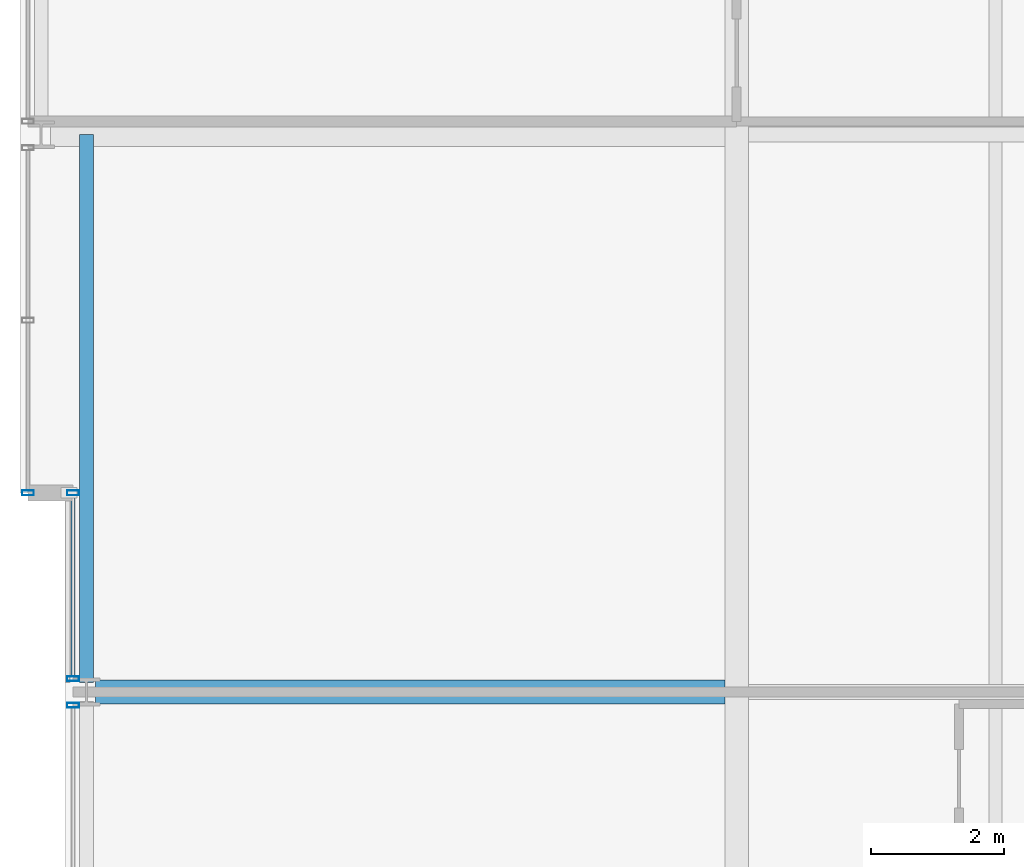
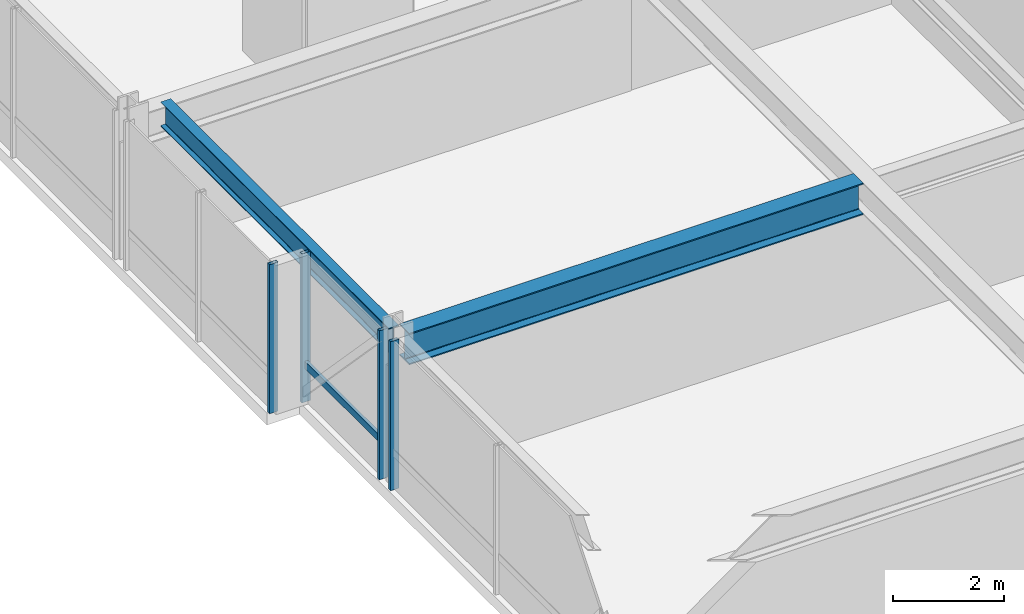
# One storey, part 9 of 33: 5 members, 2 beams, 3 elements without a shape of their own.
"""IFC4 building model written with IfcOpenShell, lengths in metres."""

import ifcopenshell
import ifcopenshell.guid

model = None  # the IFC model being written
_history = None  # IfcOwnerHistory: only IFC2X3 demands one
_inside = {}  # id of a spatial element -> (the spatial element, [elements in it])
_under = {}  # id of a project, library or spatial element -> (it, [spatial elements below it])
_declared = {}  # id of a project -> (the project, [libraries it declares])
_typed = {}  # id of a type object -> (the type object, [elements of that type])
_made_of = {}  # id of a material, layer set ... -> (it, [elements and type objects made of it])


def new_model(schema):
    """Start an empty IFC model of exactly this schema.

    Asked for "IFC4X3", IfcOpenShell would pick the latest addendum, in which some entities
    have other attributes; the version numbers below select the first issue.
    IFC2X3 requires an IfcOwnerHistory on every rooted entity: one is made here for all.
    """
    global model, _history
    if schema == "IFC4X3":
        model = ifcopenshell.file(schema_version=(4, 3, 0, 0))
    else:
        model = ifcopenshell.file(schema=schema)
    _inside.clear()
    _under.clear()
    _declared.clear()
    _typed.clear()
    _made_of.clear()
    _history = None
    if model.schema == "IFC2X3":
        org = make("IfcOrganization", Name="unknown")
        user = make(
            "IfcPersonAndOrganization",
            ThePerson=make("IfcPerson", FamilyName="unknown"),
            TheOrganization=org,
        )
        app = make(
            "IfcApplication",
            ApplicationDeveloper=org,
            Version="unknown",
            ApplicationFullName="unknown",
            ApplicationIdentifier="unknown",
        )
        _history = make(
            "IfcOwnerHistory",
            OwningUser=user,
            OwningApplication=app,
            ChangeAction="ADDED",
            CreationDate=0,
        )
    return model


def make(cls, **values):
    """One entity of the class cls with the attributes given. An attribute that is None is left unset."""
    return model.create_entity(
        cls, **{name: value for name, value in values.items() if value is not None}
    )


def rooted(cls, **values):
    """An entity with a GlobalId (a new one), such as an element, a storey or a relation."""
    return make(cls, GlobalId=ifcopenshell.guid.new(), OwnerHistory=_history, **values)


def si_unit(unit_type, name, prefix=None):
    """IfcSIUnit, for example si_unit("LENGTHUNIT", "METRE", prefix="MILLI")."""
    return make("IfcSIUnit", UnitType=unit_type, Prefix=prefix, Name=name)


def assignment(units):
    """IfcUnitAssignment: the units of a project."""
    return None if units is None else make("IfcUnitAssignment", Units=units)


def point(xyz):
    """IfcCartesianPoint."""
    return None if xyz is None else make("IfcCartesianPoint", Coordinates=xyz)


def direction(xyz):
    """IfcDirection."""
    return None if xyz is None else make("IfcDirection", DirectionRatios=xyz)


def frame(location, z_axis=None, x_axis=None):
    """IfcAxis2Placement3D, a coordinate frame: its origin and axes. An axis left out is left unset."""
    return make(
        "IfcAxis2Placement3D",
        Location=point(location),
        Axis=direction(z_axis),
        RefDirection=direction(x_axis),
    )


def frame_2d(location, x_axis=None):
    """IfcAxis2Placement2D, a coordinate frame in the plane: its origin and x axis."""
    return make(
        "IfcAxis2Placement2D", Location=point(location), RefDirection=direction(x_axis)
    )


def origin():
    """The frame at (0, 0, 0) with its axes left unset."""
    return frame((0.0, 0.0, 0.0))


def origin_2d():
    """The frame at (0, 0) in the plane with its x axis left unset."""
    return frame_2d((0.0, 0.0))


def place(relative_to, where):
    """IfcLocalPlacement: puts the frame where relative to a parent placement (None: the world)."""
    return make(
        "IfcLocalPlacement", PlacementRelTo=relative_to, RelativePlacement=where
    )


def context(
    kind, dimensions, precision=None, world=None, true_north=None, identifier=None
):
    """IfcGeometricRepresentationContext, for example the 3D "Model" context."""
    return make(
        "IfcGeometricRepresentationContext",
        ContextIdentifier=identifier,
        ContextType=kind,
        CoordinateSpaceDimension=dimensions,
        Precision=precision,
        WorldCoordinateSystem=world,
        TrueNorth=true_north,
    )


def subcontext(parent, identifier, kind, view, scale=None):
    """IfcGeometricRepresentationSubContext, for example "Body" below "Model"."""
    return make(
        "IfcGeometricRepresentationSubContext",
        ContextIdentifier=identifier,
        ContextType=kind,
        ParentContext=parent,
        TargetScale=scale,
        TargetView=view,
    )


def project(units=None, contexts=None):
    """IfcProject with its units and contexts."""
    return rooted(
        "IfcProject",
        Name="project",
        RepresentationContexts=contexts,
        UnitsInContext=assignment(units),
    )


def spatial(cls, under=None, at=None, **own):
    """A site, building, storey or space (cls), placed at a placement, below another one or the project."""
    s = rooted(cls, ObjectPlacement=at, **own)
    if under is not None:
        _under.setdefault(under.id(), (under, []))[1].append(s)
    return s


def profile(cls, at=None, kind="AREA", **sizes):
    """A parametric profile (cls). Its sizes go by their IFC names, for example OverallWidth=200.0."""
    return make(cls, ProfileType=kind, Position=at, **sizes)


def hollow_rectangle(**sizes):
    """IfcRectangleHollowProfileDef."""
    return profile("IfcRectangleHollowProfileDef", **sizes)


def i_section(**sizes):
    """IfcIShapeProfileDef."""
    return profile("IfcIShapeProfileDef", **sizes)


def extrude(swept, where, along, depth):
    """IfcExtrudedAreaSolid: the profile swept, set in the frame where, extruded along a direction by depth."""
    return make(
        "IfcExtrudedAreaSolid",
        SweptArea=swept,
        Position=where,
        ExtrudedDirection=direction(along),
        Depth=depth,
    )


def shape(context_of_items, identifier, shape_type, items):
    """IfcShapeRepresentation: the items that make up one representation, for example the "Body"."""
    return make(
        "IfcShapeRepresentation",
        ContextOfItems=context_of_items,
        RepresentationIdentifier=identifier,
        RepresentationType=shape_type,
        Items=items,
    )


def material(Name=None, Category=None):
    """IfcMaterial."""
    return make("IfcMaterial", Name=Name, Category=Category)


def layer(
    of_material, thickness, ventilated=None, Name=None, Category=None, Priority=None
):
    """IfcMaterialLayer: one layer of a wall or slab, of a material (None: an air gap)."""
    return make(
        "IfcMaterialLayer",
        Material=of_material,
        LayerThickness=thickness,
        IsVentilated=ventilated,
        Name=Name,
        Category=Category,
        Priority=Priority,
    )


def layer_set(layers, Name=None):
    """IfcMaterialLayerSet."""
    return make("IfcMaterialLayerSet", MaterialLayers=layers, LayerSetName=Name)


def material_profile(
    of_material, cross_section, Name=None, Category=None, Priority=None
):
    """IfcMaterialProfile: a cross section and its material."""
    return make(
        "IfcMaterialProfile",
        Name=Name,
        Material=of_material,
        Profile=cross_section,
        Priority=Priority,
        Category=Category,
    )


def profile_set(profiles, Name=None, composite=None):
    """IfcMaterialProfileSet."""
    return make(
        "IfcMaterialProfileSet",
        Name=Name,
        MaterialProfiles=profiles,
        CompositeProfile=composite,
    )


def made_of(thing, what):
    """Note that an element or type object is made of a material, layer set ...; save() writes the relation."""
    if what is not None:
        _made_of.setdefault(what.id(), (what, []))[1].append(thing)
    return thing


def type_object(cls, material=None, **own):
    """A type object (cls), such as IfcWallType, which elements share."""
    return made_of(rooted(cls, **own), material)


def element(
    cls,
    number,
    at=None,
    inside=None,
    cuts=None,
    type_object=None,
    material=None,
    context=None,
    identifier="Body",
    shape_type=None,
    held_by="IfcProductDefinitionShape",
    body=None,
    shapes=None,
    **own,
):
    """One element of the class cls, such as IfcWall. Its Tag is "e" and its number.

    at: its placement. inside: the storey or other place that contains it. cuts: it is an
    opening in that element (IfcRelVoidsElement). A single representation is given by context,
    identifier, shape_type and body (its items); several are given by shapes. held_by: the class
    of the entity that holds the representations. save() writes the other relations.
    """
    e = rooted(cls, Tag="e%d" % number, ObjectPlacement=at, **own)
    if body is not None:
        shapes = [shape(context, identifier, shape_type, body)]
    if shapes is not None:
        e.Representation = make(held_by, Representations=shapes)
    if inside is not None:
        _inside.setdefault(inside.id(), (inside, []))[1].append(e)
    if cuts is not None:
        rooted(
            "IfcRelVoidsElement", RelatingBuildingElement=cuts, RelatedOpeningElement=e
        )
    if type_object is not None:
        _typed.setdefault(type_object.id(), (type_object, []))[1].append(e)
    return made_of(e, material)


def aggregate(whole, parts):
    """IfcRelAggregates: a whole, such as a stair, and the parts it consists of."""
    return rooted("IfcRelAggregates", RelatingObject=whole, RelatedObjects=parts)


def save(model, path):
    """Write the relations noted so far, then the file.

    IfcRelAggregates (storeys below a building ...), IfcRelContainedInSpatialStructure (elements
    in a storey), IfcRelDefinesByType, IfcRelAssociatesMaterial and IfcRelDeclares: one each for
    every whole, place, type object, material and project.
    """
    for whole, parts in _under.values():
        aggregate(whole, parts)
    for where, things in _inside.values():
        rooted(
            "IfcRelContainedInSpatialStructure",
            RelatedElements=things,
            RelatingStructure=where,
        )
    for kind, things in _typed.values():
        rooted("IfcRelDefinesByType", RelatedObjects=things, RelatingType=kind)
    for what, things in _made_of.values():
        rooted("IfcRelAssociatesMaterial", RelatedObjects=things, RelatingMaterial=what)
    for by, libraries in _declared.values():
        rooted("IfcRelDeclares", RelatingContext=by, RelatedDefinitions=libraries)
    model.write(path)


model = new_model("IFC4")

# Units and contexts
model_context = context("Model", 3, precision=1e-05, world=origin(), true_north=direction((0.0, 1.0)))
body_context = subcontext(model_context, "Body", "Model", "MODEL_VIEW")
ifc_project = project(units=[si_unit("LENGTHUNIT", "METRE"), si_unit("AREAUNIT", "SQUARE_METRE"), si_unit("VOLUMEUNIT", "CUBIC_METRE"), si_unit("PLANEANGLEUNIT", "RADIAN"), si_unit("MASSUNIT", "GRAM", prefix="KILO")], contexts=[model_context])

# Site, building, storey
site_placement = place(None, origin())
site = spatial("IfcSite", under=ifc_project, at=site_placement, CompositionType="ELEMENT")
building_placement = place(site_placement, origin())
building = spatial("IfcBuilding", under=site, at=building_placement, Name="Drelvath Grand Hotel", CompositionType="ELEMENT")
storey_placement = place(building_placement, frame((0.0, 0.0, 168.14990234375)))
storey = spatial("IfcBuildingStorey", under=building, at=storey_placement, Name="L43", CompositionType="ELEMENT", Elevation=168.14990234375)

# Curtain wall, member
ifc_material_1 = material(Name="Brushed Pale-Silver Anodised Aluminium Frame", Category="aluminium")
ifc_layer = layer(ifc_material_1, 0.199951171875)
ifc_layer_set = layer_set([ifc_layer], Name="Brushed Pale-Silver Anodised Aluminium Frame")
curtain_wall_type = type_object("IfcCurtainWallType", Name="Stick Curtain Wall CW-04 Brushed Silver Upper-Mid", PredefinedType="NOTDEFINED", material=ifc_layer_set)
curtain_wall_1_placement = place(storey_placement, origin())
curtain_wall_1 = element("IfcCurtainWall", 1, at=curtain_wall_1_placement, inside=storey, type_object=curtain_wall_type, Name="L43 CW-04 Curtain Wall CW04-L43-WM2", PredefinedType="NOTDEFINED")
ifc_material_profile_1 = material_profile(ifc_material_1, hollow_rectangle(XDim=0.06494140625, YDim=0.159912109375, WallThickness=0.00390625, at=origin_2d()), Name="HSS160X65X4")
ifc_profile_set_1 = profile_set([ifc_material_profile_1], Name="Brushed Pale-Silver Anodised Aluminium Frame")
member_type_1 = type_object("IfcMemberType", Name="Curtain Wall Horizontal Transom CW-04 HSS160X65X4", PredefinedType="USERDEFINED", material=ifc_profile_set_1)
member_1_placement = place(storey_placement, frame((-26.199951171875, 27.239990234375, 0.822509765625), z_axis=(0.0, 1.0, 0.0), x_axis=(-1.0, 0.0, 0.0)))
member_1 = element("IfcMember", 2, at=member_1_placement, type_object=member_type_1, Name="CW04-L43-WM2 Sill Transom", ObjectType="TRANSOM", PredefinedType="USERDEFINED", context=body_context, shape_type="SweptSolid", body=[
    extrude(hollow_rectangle(XDim=0.06494140625, YDim=0.159912109375, WallThickness=0.00390625, at=origin_2d()), origin(), (0.0, 0.0, 1.0), 2.719970703125),
])

curtain_wall_2_placement = place(storey_placement, origin())
curtain_wall_2 = element("IfcCurtainWall", 3, at=curtain_wall_2_placement, inside=storey, type_object=curtain_wall_type, Name="L43 CW-04 Curtain Wall CW04-L43-WM1", PredefinedType="NOTDEFINED")
ifc_material_profile_2 = material_profile(ifc_material_1, hollow_rectangle(XDim=0.074951171875, YDim=0.179931640625, WallThickness=0.0048828125, at=origin_2d()), Name="HSS180X75X5")
ifc_profile_set_2 = profile_set([ifc_material_profile_2], Name="Brushed Pale-Silver Anodised Aluminium Frame")
member_type_2 = type_object("IfcMemberType", Name="Curtain Wall Vertical Mullion CW-04 HSS180X75X5", PredefinedType="MULLION", material=ifc_profile_set_2)
member_2_placement = place(storey_placement, frame((-26.199951171875, 26.7998046875, 0.0), z_axis=(0.0, 0.0, 1.0), x_axis=(0.0, 1.0, 0.0)))
member_2 = element("IfcMember", 4, at=member_2_placement, type_object=member_type_2, Name="CW04-L43-WM1 Mullion 3", PredefinedType="MULLION", context=body_context, shape_type="SweptSolid", body=[
    extrude(hollow_rectangle(XDim=0.074951171875, YDim=0.179931640625, WallThickness=0.0048828125, at=origin_2d()), origin(), (0.0, 0.0, 1.0), 3.2900390625),
])
aggregate(curtain_wall_2, [member_2])

# Member
member_3_placement = place(storey_placement, frame((-26.199951171875, 27.2001953125, 0.0), z_axis=(0.0, 0.0, 1.0), x_axis=(0.0, 1.0, 0.0)))
member_3 = element("IfcMember", 5, at=member_3_placement, type_object=member_type_2, Name="CW04-L43-WM2 Mullion 1", PredefinedType="MULLION", context=body_context, shape_type="SweptSolid", body=[
    extrude(hollow_rectangle(XDim=0.074951171875, YDim=0.179931640625, WallThickness=0.0048828125, at=origin_2d()), origin(), (0.0, 0.0, 1.0), 3.2900390625),
])

member_4_placement = place(storey_placement, frame((-26.199951171875, 30.0, 0.0), z_axis=(0.0, 0.0, 1.0), x_axis=(0.0, 1.0, 0.0)))
member_4 = element("IfcMember", 6, at=member_4_placement, type_object=member_type_2, Name="CW04-L43-WM2 Mullion 2", PredefinedType="MULLION", context=body_context, shape_type="SweptSolid", body=[
    extrude(hollow_rectangle(XDim=0.074951171875, YDim=0.179931640625, WallThickness=0.0048828125, at=origin_2d()), origin(), (0.0, 0.0, 1.0), 3.2900390625),
])

aggregate(curtain_wall_1, [member_3, member_4, member_1])

# Curtain wall, member
curtain_wall_3_placement = place(storey_placement, origin())
curtain_wall_3 = element("IfcCurtainWall", 7, at=curtain_wall_3_placement, inside=storey, type_object=curtain_wall_type, Name="L43 CW-04 Curtain Wall CW04-L43-WN1", PredefinedType="NOTDEFINED")
member_5_placement = place(storey_placement, frame((-26.8798828125, 30.0, 0.0), z_axis=(0.0, 0.0, 1.0), x_axis=(0.0, 1.0, 0.0)))
member_5 = element("IfcMember", 8, at=member_5_placement, type_object=member_type_2, Name="CW04-L43-WN1 Mullion 1", PredefinedType="MULLION", context=body_context, shape_type="SweptSolid", body=[
    extrude(hollow_rectangle(XDim=0.074951171875, YDim=0.179931640625, WallThickness=0.0048828125, at=origin_2d()), origin(), (0.0, 0.0, 1.0), 3.2900390625),
])
aggregate(curtain_wall_3, [member_5])

# Beams
ifc_material_2 = material(Name="Steel ASTM A992 Gr 50", Category="steel")
ifc_material_profile_3 = material_profile(ifc_material_2, i_section(OverallWidth=0.210205078125, OverallDepth=0.53662109375, WebThickness=0.010986328125, FlangeThickness=0.017333984375, FilletRadius=0.01806640625, at=origin_2d()), Name="W21X68")
ifc_profile_set_3 = profile_set([ifc_material_profile_3], Name="Steel ASTM A992 Gr 50")
beam_type_1 = type_object("IfcBeamType", Name="Perimeter Spandrel Beam W21X68", PredefinedType="SPANDREL", material=ifc_profile_set_3)
beam_1_placement = place(storey_placement, frame((-26.0, 27.139892578125, 3.021728515625), z_axis=(0.0, 1.0, 0.0), x_axis=(-1.0, 0.0, 0.0)))
element("IfcBeam", 9, at=beam_1_placement, inside=storey, type_object=beam_type_1, Name="L43 Spandrel West Mid N", PredefinedType="SPANDREL", context=body_context, shape_type="SweptSolid", body=[
    extrude(i_section(OverallWidth=0.210205078125, OverallDepth=0.53662109375, WebThickness=0.010986328125, FlangeThickness=0.017333984375, FilletRadius=0.01806640625, at=origin_2d()), origin(), (0.0, 0.0, 1.0), 8.260009765625),
])
ifc_material_profile_4 = material_profile(ifc_material_2, i_section(OverallWidth=0.354736328125, OverallDepth=0.695556640625, WebThickness=0.015380859375, FlangeThickness=0.025146484375, FilletRadius=0.02392578125, at=origin_2d()), Name="W27X146")
ifc_profile_set_4 = profile_set([ifc_material_profile_4], Name="Steel ASTM A992 Gr 50")
beam_type_2 = type_object("IfcBeamType", Name="Primary Floor Girder W27X146", PredefinedType="BEAM", material=ifc_profile_set_4)
beam_2_placement = place(storey_placement, frame((-25.860107421875, 27.0, 2.9423828125), z_axis=(1.0, 0.0, 0.0), x_axis=(0.0, 1.0, 0.0)))
element("IfcBeam", 10, at=beam_2_placement, inside=storey, type_object=beam_type_2, Name="L43 West Wing Girder E", PredefinedType="BEAM", context=body_context, shape_type="SweptSolid", body=[
    extrude(i_section(OverallWidth=0.354736328125, OverallDepth=0.695556640625, WebThickness=0.015380859375, FlangeThickness=0.025146484375, FilletRadius=0.02392578125, at=origin_2d()), origin(), (0.0, 0.0, 1.0), 9.482666015625),
])

save(model, "model.ifc")
